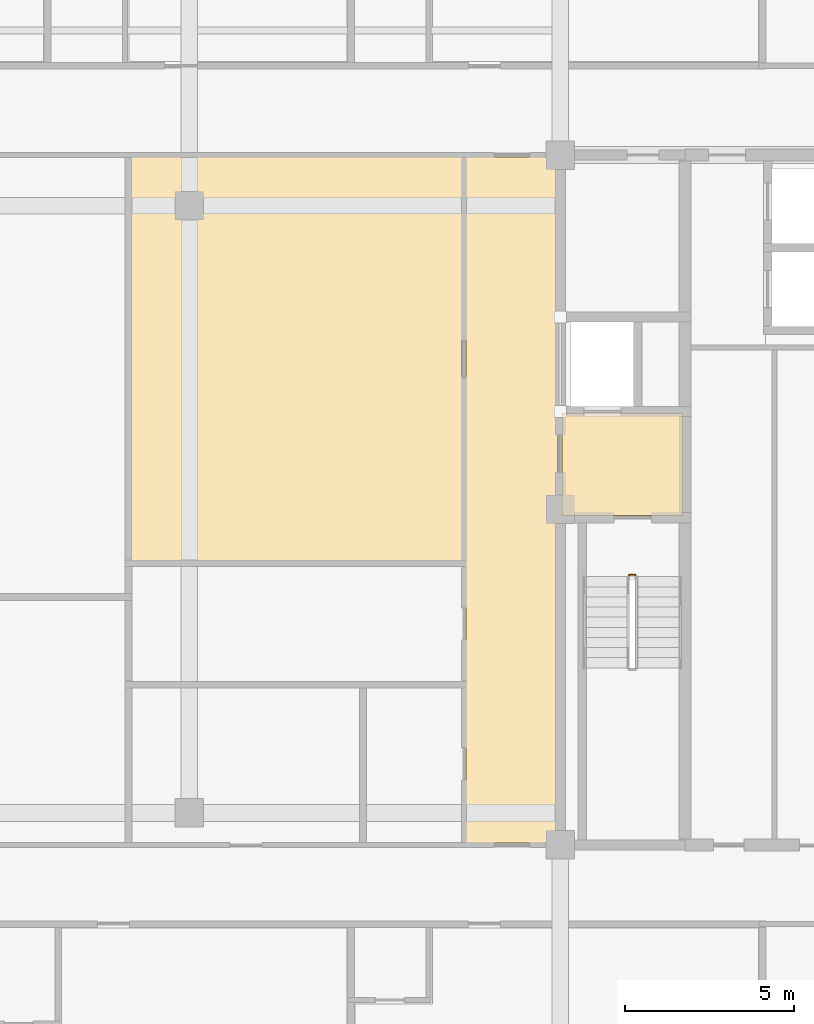
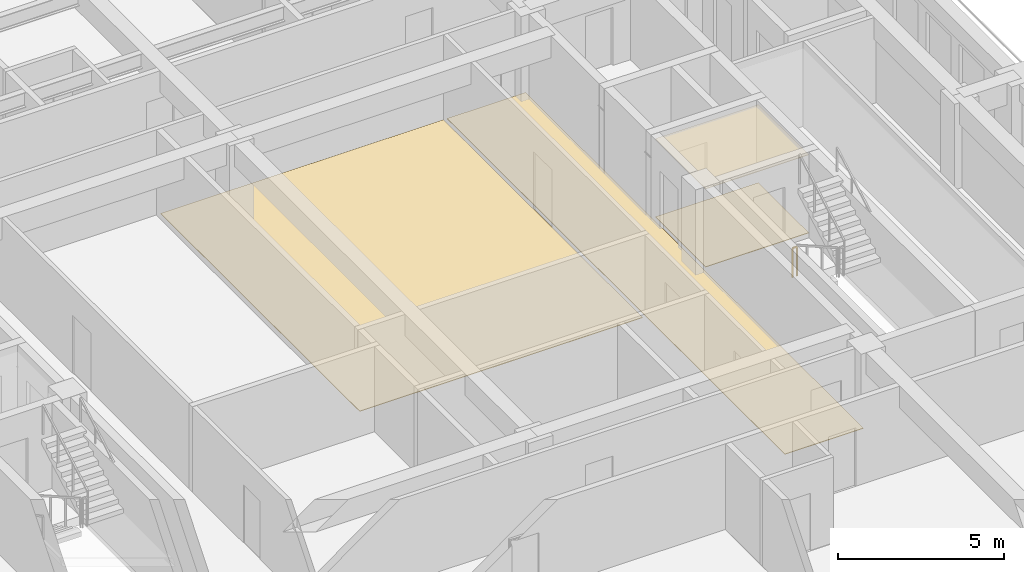
# One storey, part 13 of 14: 4 coverings, 1 railing.
"""IFC4 building model written with IfcOpenShell, lengths in metres."""

from ifc_helpers import new_model, si_unit, direction, frame, origin, origin_2d, place, context, subcontext, project, spatial, polyline, rectangle, outline, extrude, material, layer, layer_set, type_object, element, save


model = new_model("IFC4")

# Units and contexts
model_context = context("Model", 3, precision=1e-05, world=origin(), true_north=direction((0.0, 1.0)))
body_context = subcontext(model_context, "Body", "Model", "MODEL_VIEW")
ifc_project = project(units=[si_unit("LENGTHUNIT", "METRE"), si_unit("AREAUNIT", "SQUARE_METRE"), si_unit("VOLUMEUNIT", "CUBIC_METRE"), si_unit("PLANEANGLEUNIT", "RADIAN"), si_unit("MASSUNIT", "GRAM", prefix="KILO")], contexts=[model_context])

# Site, building, storey
site_placement = place(None, origin())
site = spatial("IfcSite", under=ifc_project, at=site_placement, CompositionType="ELEMENT")
building_placement = place(site_placement, origin())
building = spatial("IfcBuilding", under=site, at=building_placement, Name="Zulmaris Gate Convention Tower", CompositionType="ELEMENT")
storey_placement = place(building_placement, frame((0.0, 0.0, 211.85986328125)))
storey = spatial("IfcBuildingStorey", under=building, at=storey_placement, Name="L55", CompositionType="ELEMENT", Elevation=211.85986328125)

# Coverings
ifc_material_1 = material(Name="Mineral Fibre Acoustic Ceiling Tile")
ifc_layer_1 = layer(ifc_material_1, 0.02001953125, Name="Mineral Fibre Acoustic Ceiling Tile")
ifc_layer_set_1 = layer_set([ifc_layer_1], Name="Mineral Fibre Acoustic Ceiling Tile")
covering_type_1 = type_object("IfcCoveringType", Name="CLG-ACOUSTIC-600", PredefinedType="CEILING", material=ifc_layer_set_1)
covering_1_placement = place(storey_placement, frame((0.0, 0.0, 2.8701171875)))
element("IfcCovering", 1, at=covering_1_placement, inside=storey, type_object=covering_type_1, Name="CLG-L55-R08", PredefinedType="CEILING", context=body_context, shape_type="SweptSolid", body=[
    extrude(outline(polyline([(11.06005859375, -0.18994140625), (14.639892578125, -0.18994140625), (14.639892578125, 2.840087890625), (11.06005859375, 2.840087890625), (11.06005859375, -0.18994140625)])), origin(), (0.0, 0.0, 1.0), 0.02001953125),
])
ifc_material_2 = material(Name="Woven Acoustic Wool Carpet Tile")
ifc_layer_2 = layer(ifc_material_2, 0.02001953125, Name="Woven Acoustic Wool Carpet Tile")
ifc_layer_set_2 = layer_set([ifc_layer_2], Name="Woven Acoustic Wool Carpet Tile")
covering_type_2 = type_object("IfcCoveringType", Name="FLR-CARPET-12", PredefinedType="FLOORING", material=ifc_layer_set_2)
covering_2_placement = place(storey_placement, origin())
element("IfcCovering", 2, at=covering_2_placement, inside=storey, type_object=covering_type_2, Name="FLR-L55-R08", PredefinedType="FLOORING", context=body_context, shape_type="SweptSolid", body=[
    extrude(outline(polyline([(11.06005859375, -0.18994140625), (14.639892578125, -0.18994140625), (14.639892578125, 2.840087890625), (11.06005859375, 2.840087890625), (11.06005859375, -0.18994140625)])), origin(), (0.0, 0.0, 1.0), 0.02001953125),
])
covering_3_placement = place(storey_placement, origin())
element("IfcCovering", 3, at=covering_3_placement, inside=storey, type_object=covering_type_2, Name="FLR-L55-R31", PredefinedType="FLOORING", context=body_context, shape_type="SweptSolid", body=[
    extrude(outline(polyline([(8.2099609375, -9.889892578125), (10.93994140625, -9.889892578125), (10.93994140625, 10.43994140625), (8.2099609375, 10.43994140625), (8.2099609375, -9.889892578125)])), origin(), (0.0, 0.0, 1.0), 0.02001953125),
])
ifc_material_3 = material(Name="Engineered Teak Parquet Flooring")
ifc_layer_3 = layer(ifc_material_3, 0.02001953125, Name="Engineered Teak Parquet Flooring")
ifc_layer_set_3 = layer_set([ifc_layer_3], Name="Engineered Teak Parquet Flooring")
covering_type_3 = type_object("IfcCoveringType", Name="FLR-TIMBER-18", PredefinedType="FLOORING", material=ifc_layer_set_3)
covering_4_placement = place(storey_placement, origin())
element("IfcCovering", 4, at=covering_4_placement, inside=storey, type_object=covering_type_3, Name="FLR-L55-R49", PredefinedType="FLOORING", context=body_context, shape_type="SweptSolid", body=[
    extrude(outline(polyline([(-1.739990234375, -1.5400390625), (8.090087890625, -1.5400390625), (8.090087890625, 10.43994140625), (-1.739990234375, 10.43994140625), (-1.739990234375, -1.5400390625)])), origin(), (0.0, 0.0, 1.0), 0.02001953125),
])

# Railing
ifc_material_4 = material(Name="Painted Galvanised Steel", Category="steel")
railing_type = type_object("IfcRailingType", Name="RL-STG-1150", PredefinedType="GUARDRAIL", material=ifc_material_4)
railing_placement = place(storey_placement, frame((13.06005859375, -1.949951171875, 0.0)))
element("IfcRailing", 5, at=railing_placement, inside=storey, type_object=railing_type, Name="L55 ST-2 stair guard 4", PredefinedType="GUARDRAIL", context=body_context, shape_type="SweptSolid", body=[
    extrude(rectangle(XDim=0.048095703125, YDim=0.048095703125, at=origin_2d()), frame((0.0, 0.0, 1.076171875), z_axis=(1.0, 0.0, 0.0), x_axis=(0.0, 1.0, 0.0)), (0.0, 0.0, 1.0), 0.159912109375),
    extrude(rectangle(XDim=0.0419921875, YDim=0.0419921875, at=origin_2d()), origin(), (0.0, 0.0, 1.0), 1.052001953125),
    extrude(rectangle(XDim=0.0419921875, YDim=0.0419921875, at=origin_2d()), frame((0.159912109375, 0.0, 0.0)), (0.0, 0.0, 1.0), 1.052001953125),
])

save(model, "model.ifc")
